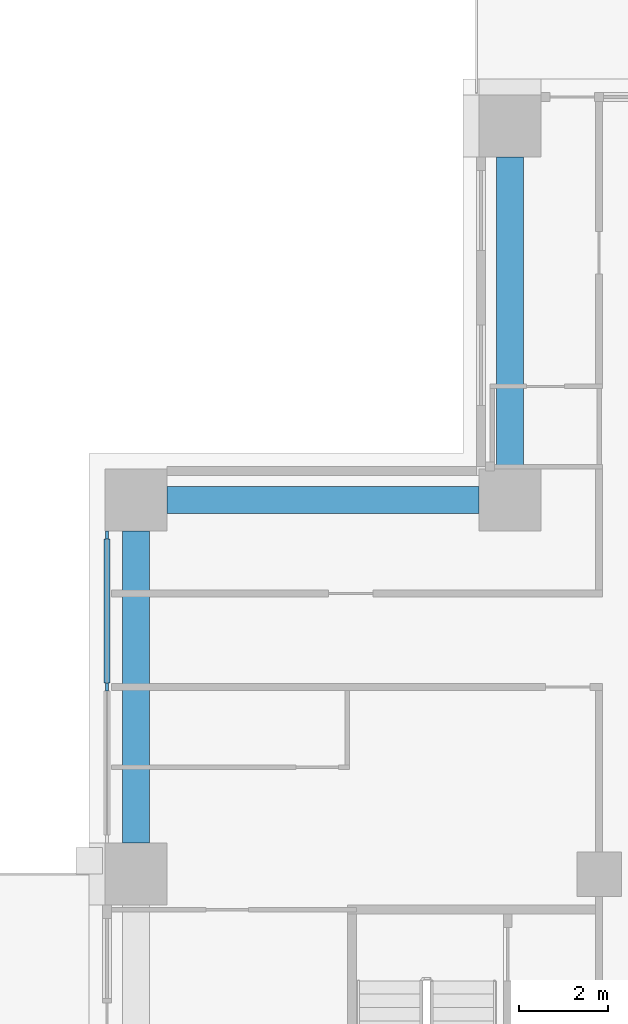
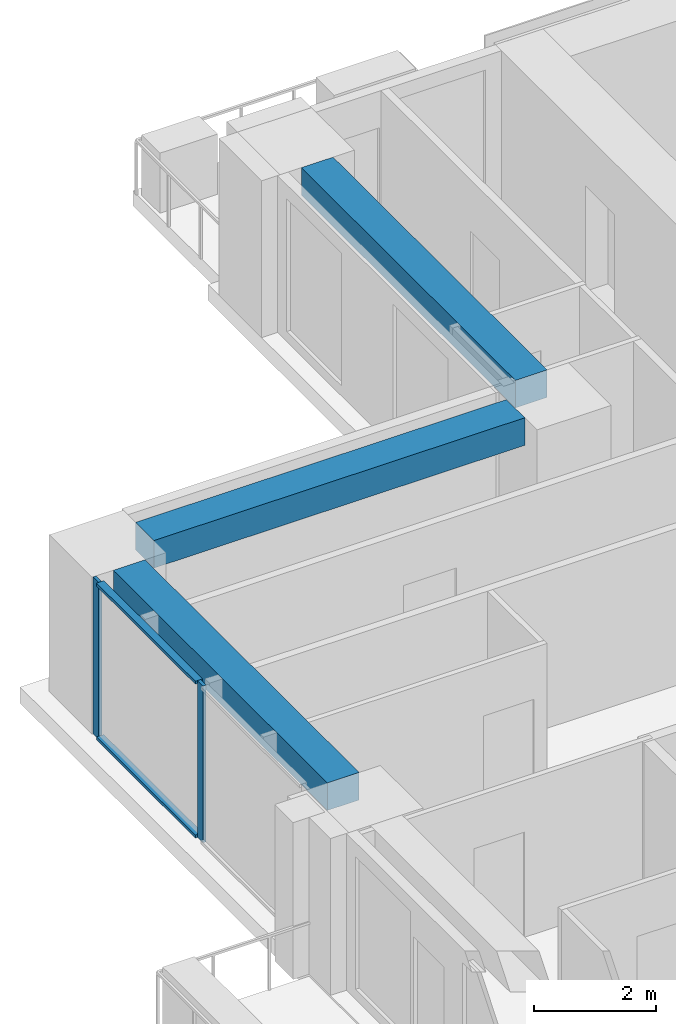
# One storey, part 5 of 17: 4 members, 3 beams, 1 element without a shape of its own.
"""IFC4 building model written with IfcOpenShell, lengths in metres."""

from ifc_helpers import new_model, si_unit, direction, frame, origin, origin_2d, place, context, subcontext, project, spatial, rectangle, extrude, material, material_profile, profile_set, type_object, element, aggregate, save


model = new_model("IFC4")

# Units and contexts
model_context = context("Model", 3, precision=1e-05, world=origin(), true_north=direction((0.0, 1.0)))
body_context = subcontext(model_context, "Body", "Model", "MODEL_VIEW")
ifc_project = project(units=[si_unit("LENGTHUNIT", "METRE"), si_unit("AREAUNIT", "SQUARE_METRE"), si_unit("VOLUMEUNIT", "CUBIC_METRE"), si_unit("PLANEANGLEUNIT", "RADIAN"), si_unit("MASSUNIT", "GRAM", prefix="KILO")], contexts=[model_context])

# Site, building, storey
site_placement = place(None, origin())
site = spatial("IfcSite", under=ifc_project, at=site_placement, CompositionType="ELEMENT")
building_placement = place(site_placement, origin())
building = spatial("IfcBuilding", under=site, at=building_placement, Name="Vermilion Ogive Tower", CompositionType="ELEMENT")
storey_placement = place(building_placement, frame((0.0, 0.0, 51.75)))
storey = spatial("IfcBuildingStorey", under=building, at=storey_placement, Name="L11", CompositionType="ELEMENT", Elevation=51.75)

# Curtain wall, members
ifc_material_1 = material(Name="Low-iron laminated glazing in aluminium frame", Category="aluminium")
curtain_wall_type = type_object("IfcCurtainWallType", Name="Curtain wall CW7", PredefinedType="NOTDEFINED", material=ifc_material_1)
curtain_wall_placement = place(storey_placement, origin())
curtain_wall = element("IfcCurtainWall", 1, at=curtain_wall_placement, inside=storey, type_object=curtain_wall_type, Name="Glazed skin W1", PredefinedType="NOTDEFINED")
ifc_material_2 = material(Name="Aluminium mullion", Category="aluminium")
ifc_material_profile_1 = material_profile(ifc_material_2, rectangle(XDim=0.06005859375, YDim=0.179931640625, at=origin_2d()), Name="AL 60x180")
ifc_profile_set_1 = profile_set([ifc_material_profile_1], Name="Aluminium mullion")
member_type_1 = type_object("IfcMemberType", Name="CW7 mullion 60x180", PredefinedType="MULLION", material=ifc_profile_set_1)
member_1_placement = place(storey_placement, frame((-25.85009765625, 11.81005859375, 0.0), z_axis=(0.0, 0.0, 1.0), x_axis=(1.0, 0.0, 0.0)))
member_1 = element("IfcMember", 2, at=member_1_placement, type_object=member_type_1, Name="CW7-W1 mullion 1", PredefinedType="MULLION", context=body_context, shape_type="SweptSolid", body=[
    extrude(rectangle(XDim=0.06005859375, YDim=0.179931640625, at=origin_2d()), origin(), (0.0, 0.0, 1.0), 3.1298828125),
])
member_2_placement = place(storey_placement, frame((-25.85009765625, 8.39990234375, 0.0), z_axis=(0.0, 0.0, 1.0), x_axis=(1.0, 0.0, 0.0)))
member_2 = element("IfcMember", 3, at=member_2_placement, type_object=member_type_1, Name="CW7-W1 mullion 2", PredefinedType="MULLION", context=body_context, shape_type="SweptSolid", body=[
    extrude(rectangle(XDim=0.06005859375, YDim=0.179931640625, at=origin_2d()), origin(), (0.0, 0.0, 1.0), 3.1298828125),
])
ifc_material_3 = material(Name="Aluminium transom", Category="aluminium")
ifc_material_profile_2 = material_profile(ifc_material_3, rectangle(XDim=0.139892578125, YDim=0.06005859375, at=origin_2d()), Name="AL 60x140")
ifc_profile_set_2 = profile_set([ifc_material_profile_2], Name="Aluminium transom")
member_type_2 = type_object("IfcMemberType", Name="CW7 transom 60x140", PredefinedType="USERDEFINED", material=ifc_profile_set_2)
member_3_placement = place(storey_placement, frame((-25.85009765625, 11.719970703125, 0.030029296875), z_axis=(0.0, -1.0, 0.0), x_axis=(1.0, 0.0, 0.0)))
member_3 = element("IfcMember", 4, at=member_3_placement, type_object=member_type_2, Name="CW7-W1 transom 1.1", ObjectType="TRANSOM", PredefinedType="USERDEFINED", context=body_context, shape_type="SweptSolid", body=[
    extrude(rectangle(XDim=0.139892578125, YDim=0.06005859375, at=origin_2d()), origin(), (0.0, 0.0, 1.0), 3.22998046875),
])
member_4_placement = place(storey_placement, frame((-25.85009765625, 11.719970703125, 3.10009765625), z_axis=(0.0, -1.0, 0.0), x_axis=(1.0, 0.0, 0.0)))
member_4 = element("IfcMember", 5, at=member_4_placement, type_object=member_type_2, Name="CW7-W1 transom 1.2", ObjectType="TRANSOM", PredefinedType="USERDEFINED", context=body_context, shape_type="SweptSolid", body=[
    extrude(rectangle(XDim=0.139892578125, YDim=0.06005859375, at=origin_2d()), origin(), (0.0, 0.0, 1.0), 3.22998046875),
])
aggregate(curtain_wall, [member_1, member_2, member_3, member_4])

# Beams
ifc_material_4 = material(Name="Concrete B45", Category="concrete")
ifc_material_profile_3 = material_profile(ifc_material_4, rectangle(XDim=0.60009765625, YDim=0.550048828125, at=origin_2d()), Name="600 x 550")
ifc_profile_set_3 = profile_set([ifc_material_profile_3], Name="Concrete B45")
beam_type = type_object("IfcBeamType", Name="Edge beam 600 x 550 B45", PredefinedType="BEAM", material=ifc_profile_set_3)
for number, where, z_axis, x_axis, name in (
    (6, (-16.800048828125, 20.300048828125, 2.85498046875), (0.0, -1.0, 0.0), (1.0, 0.0, 0.0), "L11-EB-12"),
    (7, (-17.5, 12.60009765625, 2.85498046875), (-1.0, 0.0, 0.0), (0.0, -1.0, 0.0), "L11-EB-13"),
    (8, (-25.199951171875, 11.89990234375, 2.85498046875), (0.0, -1.0, 0.0), (1.0, 0.0, 0.0), "L11-EB-14"),
):
    element("IfcBeam", number, at=place(storey_placement, frame(where, z_axis=z_axis, x_axis=x_axis)), inside=storey, type_object=beam_type, Name=name, PredefinedType="BEAM", context=body_context, shape_type="SweptSolid", body=[
        extrude(rectangle(XDim=0.60009765625, YDim=0.550048828125, at=origin_2d()), origin(), (0.0, 0.0, 1.0), 7.0),
    ])

save(model, "model.ifc")
